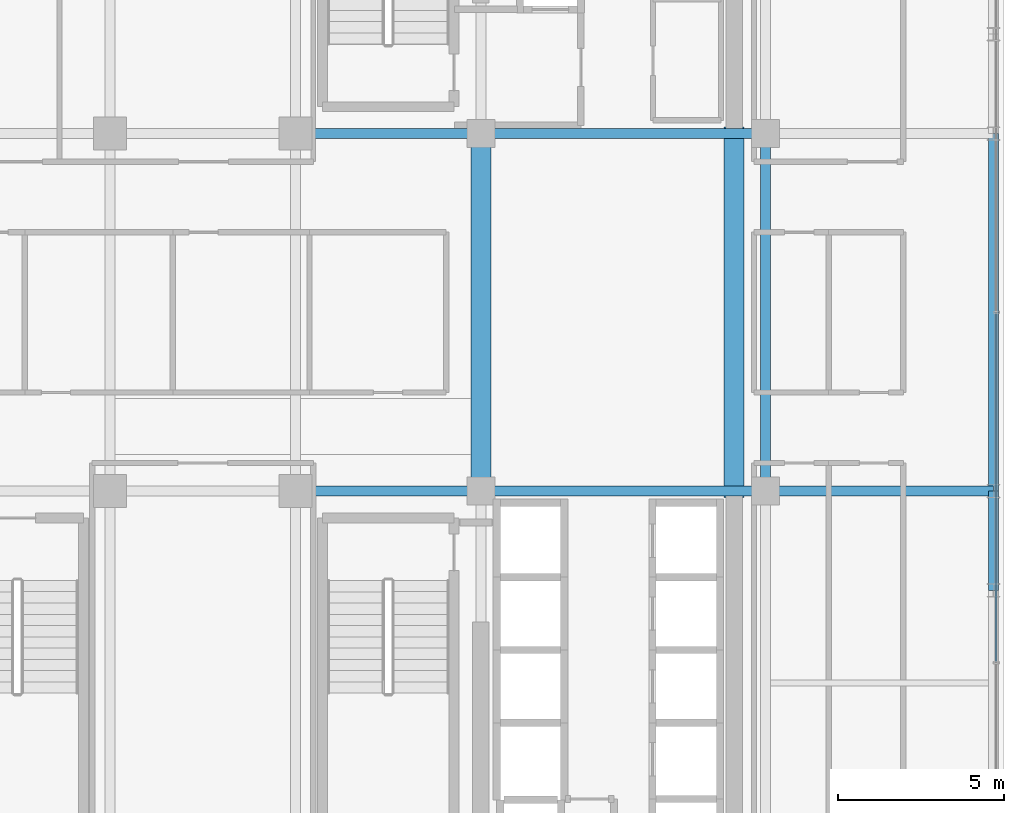
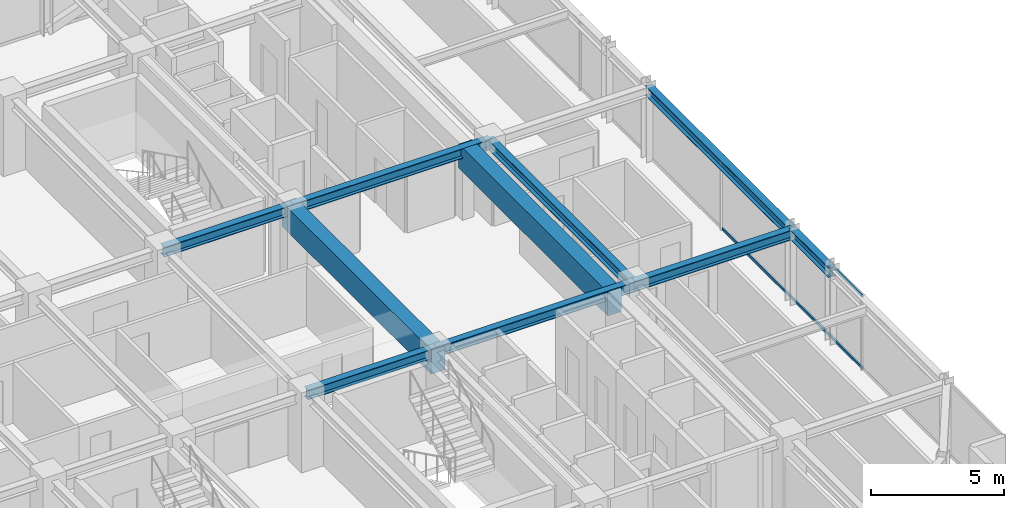
# One storey, part 16 of 36: 10 beams, 2 members, 1 element without a shape of its own.
"""IFC4 building model written with IfcOpenShell, lengths in metres."""

from ifc_helpers import new_model, si_unit, direction, frame, origin, origin_2d, place, context, subcontext, project, spatial, rectangle, hollow_rectangle, i_section, extrude, source, transform, mapped, material, material_profile, profile_set, type_object, element, aggregate, save


model = new_model("IFC4")

# Units and contexts
model_context = context("Model", 3, precision=1e-05, world=origin(), true_north=direction((0.0, 1.0)))
body_context = subcontext(model_context, "Body", "Model", "MODEL_VIEW")
ifc_project = project(units=[si_unit("LENGTHUNIT", "METRE"), si_unit("AREAUNIT", "SQUARE_METRE"), si_unit("VOLUMEUNIT", "CUBIC_METRE"), si_unit("PLANEANGLEUNIT", "RADIAN"), si_unit("MASSUNIT", "GRAM", prefix="KILO")], contexts=[model_context])

# Site, building, storey
site_placement = place(None, origin())
site = spatial("IfcSite", under=ifc_project, at=site_placement, CompositionType="ELEMENT")
building_placement = place(site_placement, origin())
building = spatial("IfcBuilding", under=site, at=building_placement, Name="Nahalor Promenade Grand Hotel", CompositionType="ELEMENT")
storey_placement = place(building_placement, frame((0.0, 0.0, 212.300048828125)))
storey = spatial("IfcBuildingStorey", under=building, at=storey_placement, Name="L54", CompositionType="ELEMENT", Elevation=212.300048828125)

# Beams
ifc_material_1 = material(Name="Concrete B-60 (C50/60)", Category="concrete")
ifc_material_profile_1 = material_profile(ifc_material_1, rectangle(XDim=0.6, YDim=1.1, at=origin_2d()), Name="RC 600x1100")
ifc_profile_set_1 = profile_set([ifc_material_profile_1], Name="Concrete B-60 (C50/60)")
beam_type_1 = type_object("IfcBeamType", Name="Beam-Lintel-RC1100", PredefinedType="LINTEL", material=ifc_profile_set_1)
shared_shape_1 = source(origin(), body_context, "Body", "SweptSolid", [
    extrude(rectangle(XDim=0.6, YDim=1.1, at=origin_2d()), origin(), (0.0, 0.0, 1.0), 11.2001953125),
])
for number, where, z_axis, x_axis, name in (
    (1, (8.39990234375, -5.60009765625, 2.85986328125), (0.0, 1.0, 0.0), (-1.0, 0.0, 0.0), "BM-L54-LINT-W"),
    (2, (16.050048828125, -5.60009765625, 2.85986328125), (0.0, 1.0, 0.0), (-1.0, 0.0, 0.0), "BM-L54-LINT-E"),
):
    element("IfcBeam", number, at=place(storey_placement, frame(where, z_axis=z_axis, x_axis=x_axis)), inside=storey, type_object=beam_type_1, Name=name, PredefinedType="LINTEL", context=body_context, shape_type="MappedRepresentation", body=[
        mapped(shared_shape_1, transform((0.0, 0.0, 0.0), scale=1.0)),
    ])
ifc_material_2 = material(Name="Steel S355JR", Category="steel")
ifc_material_profile_2 = material_profile(ifc_material_2, i_section(OverallWidth=0.3, OverallDepth=0.45, WebThickness=0.014, FlangeThickness=0.026, at=origin_2d()), Name="HEB 450")
ifc_profile_set_2 = profile_set([ifc_material_profile_2], Name="Steel S355JR")
beam_type_2 = type_object("IfcBeamType", Name="Beam-Spandrel-HEB450", PredefinedType="SPANDREL", material=ifc_profile_set_2)
shared_shape_2 = source(origin(), body_context, "Body", "SweptSolid", [
    extrude(i_section(OverallWidth=0.3, OverallDepth=0.45, WebThickness=0.014, FlangeThickness=0.026, at=origin_2d()), origin(), (0.0, 0.0, 1.0), 3.0),
])
beam_1_placement = place(storey_placement, frame((23.8798828125, -8.39990234375, 3.18505859375), z_axis=(0.0, 1.0, 0.0), x_axis=(-1.0, 0.0, 0.0)))
element("IfcBeam", 3, at=beam_1_placement, inside=storey, type_object=beam_type_2, Name="BM-L54-SP-E-1", PredefinedType="SPANDREL", context=body_context, shape_type="MappedRepresentation", body=[
    mapped(shared_shape_2, transform((0.0, 0.0, 0.0), scale=1.0)),
])
shared_shape_3 = source(origin(), body_context, "Body", "SweptSolid", [
    extrude(i_section(OverallWidth=0.3, OverallDepth=0.45, WebThickness=0.014, FlangeThickness=0.026, at=origin_2d()), origin(), (0.0, 0.0, 1.0), 10.7998046875),
])
beam_2_placement = place(storey_placement, frame((23.8798828125, -5.39990234375, 3.18505859375), z_axis=(0.0, 1.0, 0.0), x_axis=(-1.0, 0.0, 0.0)))
element("IfcBeam", 4, at=beam_2_placement, inside=storey, type_object=beam_type_2, Name="BM-L54-SP-E-2", PredefinedType="SPANDREL", context=body_context, shape_type="MappedRepresentation", body=[
    mapped(shared_shape_3, transform((0.0, 0.0, 0.0), scale=1.0)),
])
ifc_material_profile_3 = material_profile(ifc_material_2, i_section(OverallWidth=0.3, OverallDepth=0.45, WebThickness=0.014, FlangeThickness=0.026, at=origin_2d()), Name="HEB 450")
ifc_profile_set_3 = profile_set([ifc_material_profile_3], Name="Steel S355JR")
beam_type_3 = type_object("IfcBeamType", Name="Beam-Girder-HEB450", PredefinedType="BEAM", material=ifc_profile_set_3)
shared_shape_4 = source(origin(), body_context, "Body", "SweptSolid", [
    extrude(i_section(OverallWidth=0.3, OverallDepth=0.45, WebThickness=0.014, FlangeThickness=0.026, at=origin_2d()), origin(), (0.0, 0.0, 1.0), 6.8798828125),
])
beam_3_placement = place(storey_placement, frame((17.0, -5.39990234375, 3.18505859375), z_axis=(1.0, 0.0, 0.0), x_axis=(0.0, 1.0, 0.0)))
element("IfcBeam", 5, at=beam_3_placement, inside=storey, type_object=beam_type_3, Name="BM-L54-GX-1-6", PredefinedType="BEAM", context=body_context, shape_type="MappedRepresentation", body=[
    mapped(shared_shape_4, transform((0.0, 0.0, 0.0), scale=1.0)),
])
shared_shape_5 = source(origin(), body_context, "Body", "SweptSolid", [
    extrude(i_section(OverallWidth=0.3, OverallDepth=0.45, WebThickness=0.014, FlangeThickness=0.026, at=origin_2d()), origin(), (0.0, 0.0, 1.0), 8.60009765625),
])
for number, where, z_axis, x_axis, name in (
    (6, (8.39990234375, -5.39990234375, 3.18505859375), (1.0, 0.0, 0.0), (0.0, 1.0, 0.0), "BM-L54-GX-1-5"),
    (7, (8.39990234375, 5.39990234375, 3.18505859375), (1.0, 0.0, 0.0), (0.0, 1.0, 0.0), "BM-L54-GX-2-5"),
):
    element("IfcBeam", number, at=place(storey_placement, frame(where, z_axis=z_axis, x_axis=x_axis)), inside=storey, type_object=beam_type_3, Name=name, PredefinedType="BEAM", context=body_context, shape_type="MappedRepresentation", body=[
        mapped(shared_shape_5, transform((0.0, 0.0, 0.0), scale=1.0)),
    ])
shared_shape_6 = source(origin(), body_context, "Body", "SweptSolid", [
    extrude(i_section(OverallWidth=0.3, OverallDepth=0.45, WebThickness=0.014, FlangeThickness=0.026, at=origin_2d()), origin(), (0.0, 0.0, 1.0), 5.599853515625),
])
for number, where, z_axis, x_axis, name in (
    (8, (2.800048828125, -5.39990234375, 3.18505859375), (1.0, 0.0, 0.0), (0.0, 1.0, 0.0), "BM-L54-GX-1-4"),
    (9, (2.800048828125, 5.39990234375, 3.18505859375), (1.0, 0.0, 0.0), (0.0, 1.0, 0.0), "BM-L54-GX-2-4"),
):
    element("IfcBeam", number, at=place(storey_placement, frame(where, z_axis=z_axis, x_axis=x_axis)), inside=storey, type_object=beam_type_3, Name=name, PredefinedType="BEAM", context=body_context, shape_type="MappedRepresentation", body=[
        mapped(shared_shape_6, transform((0.0, 0.0, 0.0), scale=1.0)),
    ])
shared_shape_7 = source(origin(), body_context, "Body", "SweptSolid", [
    extrude(i_section(OverallWidth=0.3, OverallDepth=0.45, WebThickness=0.014, FlangeThickness=0.026, at=origin_2d()), origin(), (0.0, 0.0, 1.0), 10.7998046875),
])
beam_4_placement = place(storey_placement, frame((17.0, -5.39990234375, 3.18505859375), z_axis=(0.0, 1.0, 0.0), x_axis=(-1.0, 0.0, 0.0)))
element("IfcBeam", 10, at=beam_4_placement, inside=storey, type_object=beam_type_3, Name="BM-L54-GY-5-2", PredefinedType="BEAM", context=body_context, shape_type="MappedRepresentation", body=[
    mapped(shared_shape_7, transform((0.0, 0.0, 0.0), scale=1.0)),
])

# Curtain wall, members
ifc_material_3 = material(Name="Anodised Bronze Aluminium EN AW-6063 T6", Category="aluminium")
curtain_wall_type = type_object("IfcCurtainWallType", Name="CW2 Typical Hotel Flush Bronze Unitised Curtain Wall", PredefinedType="USERDEFINED", material=ifc_material_3)
curtain_wall_placement = place(storey_placement, origin())
curtain_wall = element("IfcCurtainWall", 11, at=curtain_wall_placement, inside=storey, type_object=curtain_wall_type, Name="L54 Curtain Wall CW-L54-E-1", ObjectType="UNITISED_CURTAIN_WALL", PredefinedType="USERDEFINED")
ifc_material_profile_4 = material_profile(ifc_material_3, hollow_rectangle(XDim=0.065, YDim=0.13, WallThickness=0.004, at=origin_2d()), Name="CWT 65x130x4")
ifc_profile_set_4 = profile_set([ifc_material_profile_4], Name="Anodised Bronze Aluminium EN AW-6063 T6")
member_type = type_object("IfcMemberType", Name="CWT2 Typical Bronze Transom 65x130", PredefinedType="USERDEFINED", material=ifc_profile_set_4)
shared_shape_8 = source(origin(), body_context, "Body", "SweptSolid", [
    extrude(hollow_rectangle(XDim=0.065, YDim=0.13, WallThickness=0.004, at=origin_2d()), origin(), (0.0, 0.0, 1.0), 10.51513671875),
])
member_1_placement = place(storey_placement, frame((23.9599609375, -10.547607421875, 0.06494140625), z_axis=(0.0, 1.0, 0.0), x_axis=(-1.0, 0.0, 0.0)))
member_1 = element("IfcMember", 12, at=member_1_placement, type_object=member_type, Name="CW-L54-E-1 Transom 1-0", ObjectType="TRANSOM", PredefinedType="USERDEFINED", context=body_context, shape_type="MappedRepresentation", body=[
    mapped(shared_shape_8, transform((0.0, 0.0, 0.0), scale=1.0)),
])
member_2_placement = place(storey_placement, frame((23.9599609375, -10.547607421875, 3.344970703125), z_axis=(0.0, 1.0, 0.0), x_axis=(-1.0, 0.0, 0.0)))
member_2 = element("IfcMember", 13, at=member_2_placement, type_object=member_type, Name="CW-L54-E-1 Transom 1-1", ObjectType="TRANSOM", PredefinedType="USERDEFINED", context=body_context, shape_type="MappedRepresentation", body=[
    mapped(shared_shape_8, transform((0.0, 0.0, 0.0), scale=1.0)),
])
aggregate(curtain_wall, [member_1, member_2])

save(model, "model.ifc")
